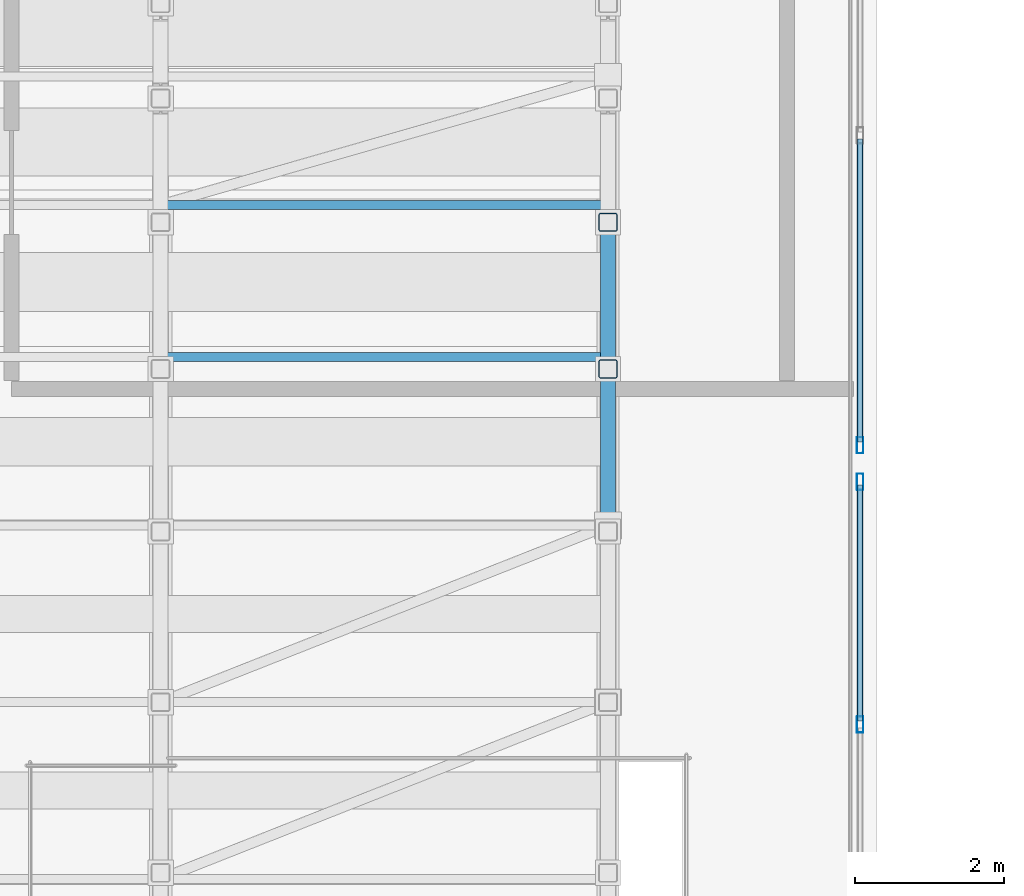
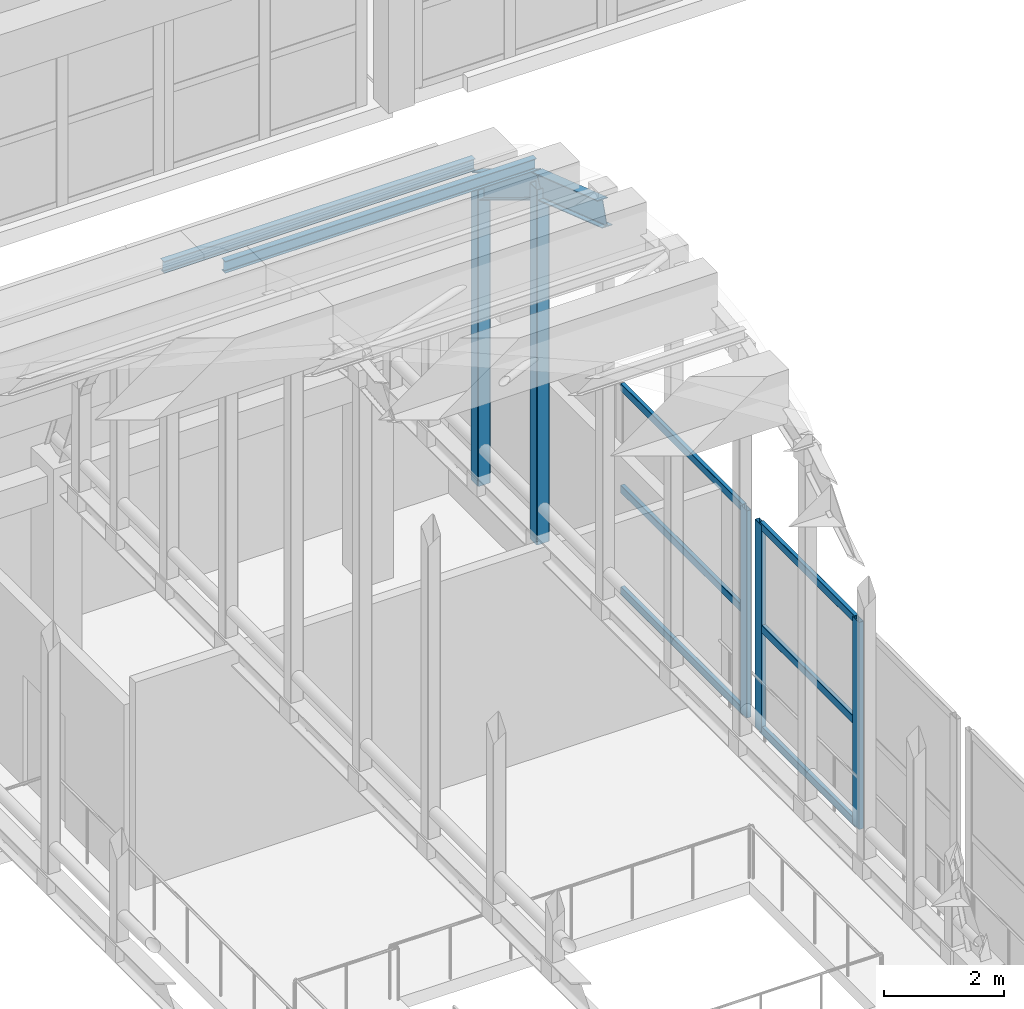
# One storey, part 15 of 91: 13 members, 2 beams, 2 elements without a shape of their own.
"""IFC4 building model written with IfcOpenShell, lengths in metres."""

from ifc_helpers import new_model, si_unit, direction, frame, origin, origin_2d, place, context, subcontext, project, spatial, hollow_rectangle, i_section, extrude, material, layer, layer_set, material_profile, profile_set, type_object, element, aggregate, save


model = new_model("IFC4")

# Units and contexts
model_context = context("Model", 3, precision=1e-05, world=origin(), true_north=direction((0.0, 1.0)))
body_context = subcontext(model_context, "Body", "Model", "MODEL_VIEW")
ifc_project = project(units=[si_unit("LENGTHUNIT", "METRE"), si_unit("AREAUNIT", "SQUARE_METRE"), si_unit("VOLUMEUNIT", "CUBIC_METRE"), si_unit("PLANEANGLEUNIT", "RADIAN"), si_unit("MASSUNIT", "GRAM", prefix="KILO")], contexts=[model_context])

# Site, building, storey
site_placement = place(None, origin())
site = spatial("IfcSite", under=ifc_project, at=site_placement, CompositionType="ELEMENT")
building_placement = place(site_placement, origin())
building = spatial("IfcBuilding", under=site, at=building_placement, Name="Tarnavel Promenade Courthouse", CompositionType="ELEMENT")
storey_placement = place(building_placement, frame((0.0, 0.0, 9.89990234375)))
storey = spatial("IfcBuildingStorey", under=building, at=storey_placement, Name="L03", CompositionType="ELEMENT", Elevation=9.89990234375)

# Beams
ifc_material_1 = material(Name="Steel S355J2", Category="steel")
ifc_material_profile_1 = material_profile(ifc_material_1, i_section(OverallWidth=0.199951171875, OverallDepth=0.5, WebThickness=0.01025390625, FlangeThickness=0.01611328125, FilletRadius=0.02099609375, at=origin_2d()), Name="IPE 500")
ifc_profile_set_1 = profile_set([ifc_material_profile_1], Name="Steel S355J2")
beam_type = type_object("IfcBeamType", Name="Steel S355J2 BM-AR-IPE500 (IPE 500)", PredefinedType="T_BEAM", material=ifc_profile_set_1)
for number, where, z_axis, x_axis, name in (
    (1, (51.60009765625, 27.288818359375, 12.098876953125), (0.0, 0.946692570393, -0.322138444092), (-1.0, 0.0, 0.0), "V4 Barrel Vault Arch Rib 08 Chord 08"),
    (2, (51.60009765625, 29.468505859375, 11.357177734375), (0.0, 0.854305009105, -0.519772018696), (-1.0, 0.0, 0.0), "V4 Barrel Vault Arch Rib 08 Chord 09"),
):
    element("IfcBeam", number, at=place(storey_placement, frame(where, z_axis=z_axis, x_axis=x_axis)), inside=storey, type_object=beam_type, Name=name, PredefinedType="T_BEAM", context=body_context, shape_type="SweptSolid", body=[
        extrude(i_section(OverallWidth=0.199951171875, OverallDepth=0.5, WebThickness=0.01025390625, FlangeThickness=0.01611328125, FilletRadius=0.02099609375, at=origin_2d()), origin(), (0.0, 0.0, 1.0), 2.302490234375),
    ])

# Members
ifc_material_profile_2 = material_profile(ifc_material_1, i_section(OverallWidth=0.1201171875, OverallDepth=0.239990234375, WebThickness=0.006103515625, FlangeThickness=0.009765625, FilletRadius=0.014892578125, at=origin_2d()), Name="IPE 240")
ifc_profile_set_2 = profile_set([ifc_material_profile_2], Name="Steel S355J2")
member_type_1 = type_object("IfcMemberType", Name="Steel S355J2 MEM-PUR-IPE240 (IPE 240)", PredefinedType="PURLIN", material=ifc_profile_set_2)
for number, where, z_axis, x_axis, name in (
    (3, (45.60009765625, 29.62939453125, 11.701416015625), (1.0, 0.0, 0.0), (0.0, 1.0, 0.0), "V4 Barrel Vault Purlin 07-08"),
    (4, (45.60009765625, 31.667236328125, 10.46142578125), (1.0, 0.0, 0.0), (0.0, 1.0, 0.0), "V4 Barrel Vault Purlin 07-09"),
):
    element("IfcMember", number, at=place(storey_placement, frame(where, z_axis=z_axis, x_axis=x_axis)), inside=storey, type_object=member_type_1, Name=name, PredefinedType="PURLIN", context=body_context, shape_type="SweptSolid", body=[
        extrude(i_section(OverallWidth=0.1201171875, OverallDepth=0.239990234375, WebThickness=0.006103515625, FlangeThickness=0.009765625, FilletRadius=0.014892578125, at=origin_2d()), origin(), (0.0, 0.0, 1.0), 6.0),
    ])
ifc_material_profile_3 = material_profile(ifc_material_1, hollow_rectangle(XDim=0.25, YDim=0.25, WallThickness=0.012451171875, InnerFilletRadius=0.012451171875, OuterFilletRadius=0.02490234375, at=origin_2d()), Name="SHS 250x250x12.5")
ifc_profile_set_3 = profile_set([ifc_material_profile_3], Name="Steel S355J2")
member_type_2 = type_object("IfcMemberType", Name="Steel S355J2 MEM-STR-SHS250 (SHS 250x250x12.5)", PredefinedType="STRUT", material=ifc_profile_set_3)
member_1_placement = place(storey_placement, frame((51.60009765625, 29.468505859375, 4.1201171875), z_axis=(0.0, 0.0, 1.0), x_axis=(1.0, 0.0, 0.0)))
element("IfcMember", 5, at=member_1_placement, inside=storey, type_object=member_type_2, Name="V4 Vault Arch Web Strut 08-08", PredefinedType="STRUT", context=body_context, shape_type="SweptSolid", body=[
    extrude(hollow_rectangle(XDim=0.25, YDim=0.25, WallThickness=0.012451171875, InnerFilletRadius=0.012451171875, OuterFilletRadius=0.02490234375, at=origin_2d()), origin(), (0.0, 0.0, 1.0), 7.237060546875),
])
member_2_placement = place(storey_placement, frame((51.60009765625, 31.435546875, 4.1201171875), z_axis=(0.0, 0.0, 1.0), x_axis=(1.0, 0.0, 0.0)))
element("IfcMember", 6, at=member_2_placement, inside=storey, type_object=member_type_2, Name="V4 Vault Arch Web Strut 08-09", PredefinedType="STRUT", context=body_context, shape_type="SweptSolid", body=[
    extrude(hollow_rectangle(XDim=0.25, YDim=0.25, WallThickness=0.012451171875, InnerFilletRadius=0.012451171875, OuterFilletRadius=0.02490234375, at=origin_2d()), origin(), (0.0, 0.0, 1.0), 6.040283203125),
])

# Curtain wall, members
ifc_material_2 = material(Name="Thermally Broken Anodised Aluminium Curtain Wall System", Category="aluminium")
ifc_layer = layer(ifc_material_2, 0.219970703125)
ifc_layer_set = layer_set([ifc_layer], Name="Thermally Broken Anodised Aluminium Curtain Wall System")
curtain_wall_type = type_object("IfcCurtainWallType", Name="Thermally Broken Aluminium Triple-Glazed Curtain Wall CW-DRUM", PredefinedType="NOTDEFINED", material=ifc_layer_set)
curtain_wall_1_placement = place(storey_placement, origin())
curtain_wall_1 = element("IfcCurtainWall", 7, at=curtain_wall_1_placement, inside=storey, type_object=curtain_wall_type, Name="L03 Public Drum East Return Curtain Wall 040", PredefinedType="NOTDEFINED")
ifc_material_3 = material(Name="Thermally Broken Anodised Aluminium Frame", Category="aluminium")
ifc_material_profile_4 = material_profile(ifc_material_3, hollow_rectangle(XDim=0.090087890625, YDim=0.219970703125, WallThickness=0.0048828125, InnerFilletRadius=0.0048828125, OuterFilletRadius=0.010009765625, at=origin_2d()), Name="CWM 220x90x5")
ifc_profile_set_4 = profile_set([ifc_material_profile_4], Name="Thermally Broken Anodised Aluminium Frame")
member_type_3 = type_object("IfcMemberType", Name="Thermally Broken Anodised Aluminium CWM-175 (CWM 220x90x5)", PredefinedType="MULLION", material=ifc_profile_set_4)
member_3_placement = place(storey_placement, frame((54.97998046875, 24.699951171875, 0.0), z_axis=(0.0, 0.0, 1.0), x_axis=(-1.0, 0.0, 0.0)))
member_3 = element("IfcMember", 8, at=member_3_placement, type_object=member_type_3, Name="CW-01 mullion 2", PredefinedType="MULLION", context=body_context, shape_type="SweptSolid", body=[
    extrude(hollow_rectangle(XDim=0.090087890625, YDim=0.219970703125, WallThickness=0.0048828125, InnerFilletRadius=0.0048828125, OuterFilletRadius=0.010009765625, at=origin_2d()), origin(), (0.0, 0.0, 1.0), 4.22021484375),
])
member_4_placement = place(storey_placement, frame((54.97998046875, 27.955078125, 0.0), z_axis=(0.0, 0.0, 1.0), x_axis=(-1.0, 0.0, 0.0)))
member_4 = element("IfcMember", 9, at=member_4_placement, type_object=member_type_3, Name="CW-01 mullion 3", PredefinedType="MULLION", context=body_context, shape_type="SweptSolid", body=[
    extrude(hollow_rectangle(XDim=0.090087890625, YDim=0.219970703125, WallThickness=0.0048828125, InnerFilletRadius=0.0048828125, OuterFilletRadius=0.010009765625, at=origin_2d()), origin(), (0.0, 0.0, 1.0), 4.22021484375),
])

# Curtain wall, member
curtain_wall_2_placement = place(storey_placement, origin())
curtain_wall_2 = element("IfcCurtainWall", 10, at=curtain_wall_2_placement, inside=storey, type_object=curtain_wall_type, Name="L03 Public Drum East Return Curtain Wall 041", PredefinedType="NOTDEFINED")
member_5_placement = place(storey_placement, frame((54.97998046875, 28.445068359375, 0.0), z_axis=(0.0, 0.0, 1.0), x_axis=(-1.0, 0.0, 0.0)))
member_5 = element("IfcMember", 11, at=member_5_placement, type_object=member_type_3, Name="CW-01 mullion 1", PredefinedType="MULLION", context=body_context, shape_type="SweptSolid", body=[
    extrude(hollow_rectangle(XDim=0.090087890625, YDim=0.219970703125, WallThickness=0.0048828125, InnerFilletRadius=0.0048828125, OuterFilletRadius=0.010009765625, at=origin_2d()), origin(), (0.0, 0.0, 1.0), 4.22021484375),
])

# Member
ifc_material_profile_5 = material_profile(ifc_material_3, hollow_rectangle(XDim=0.080078125, YDim=0.159912109375, WallThickness=0.0048828125, InnerFilletRadius=0.0048828125, OuterFilletRadius=0.010009765625, at=origin_2d()), Name="CWT 160x80x5")
ifc_profile_set_5 = profile_set([ifc_material_profile_5], Name="Thermally Broken Anodised Aluminium Frame")
member_type_4 = type_object("IfcMemberType", Name="Thermally Broken Anodised Aluminium CWT-145 (CWT 160x80x5)", PredefinedType="USERDEFINED", material=ifc_profile_set_5)
member_6_placement = place(storey_placement, frame((54.97998046875, 24.7451171875, 0.0400390625), z_axis=(0.0, 1.0, 0.0), x_axis=(-1.0, 0.0, 0.0)))
member_6 = element("IfcMember", 12, at=member_6_placement, type_object=member_type_4, Name="CW-01 transom 2.1", ObjectType="TRANSOM", PredefinedType="USERDEFINED", context=body_context, shape_type="SweptSolid", body=[
    extrude(hollow_rectangle(XDim=0.080078125, YDim=0.159912109375, WallThickness=0.0048828125, InnerFilletRadius=0.0048828125, OuterFilletRadius=0.010009765625, at=origin_2d()), origin(), (0.0, 0.0, 1.0), 3.164794921875),
])

member_7_placement = place(storey_placement, frame((54.97998046875, 24.7451171875, 2.110107421875), z_axis=(0.0, 1.0, 0.0), x_axis=(-1.0, 0.0, 0.0)))
member_7 = element("IfcMember", 13, at=member_7_placement, type_object=member_type_4, Name="CW-01 transom 2.2", ObjectType="TRANSOM", PredefinedType="USERDEFINED", context=body_context, shape_type="SweptSolid", body=[
    extrude(hollow_rectangle(XDim=0.080078125, YDim=0.159912109375, WallThickness=0.0048828125, InnerFilletRadius=0.0048828125, OuterFilletRadius=0.010009765625, at=origin_2d()), origin(), (0.0, 0.0, 1.0), 3.164794921875),
])

member_8_placement = place(storey_placement, frame((54.97998046875, 24.7451171875, 4.18017578125), z_axis=(0.0, 1.0, 0.0), x_axis=(-1.0, 0.0, 0.0)))
member_8 = element("IfcMember", 14, at=member_8_placement, type_object=member_type_4, Name="CW-01 transom 2.3", ObjectType="TRANSOM", PredefinedType="USERDEFINED", context=body_context, shape_type="SweptSolid", body=[
    extrude(hollow_rectangle(XDim=0.080078125, YDim=0.159912109375, WallThickness=0.0048828125, InnerFilletRadius=0.0048828125, OuterFilletRadius=0.010009765625, at=origin_2d()), origin(), (0.0, 0.0, 1.0), 3.164794921875),
])

aggregate(curtain_wall_1, [member_3, member_4, member_6, member_7, member_8])

member_9_placement = place(storey_placement, frame((54.97998046875, 28.489990234375, 0.0400390625), z_axis=(0.0, 1.0, 0.0), x_axis=(-1.0, 0.0, 0.0)))
member_9 = element("IfcMember", 15, at=member_9_placement, type_object=member_type_4, Name="CW-01 transom 1.1", ObjectType="TRANSOM", PredefinedType="USERDEFINED", context=body_context, shape_type="SweptSolid", body=[
    extrude(hollow_rectangle(XDim=0.080078125, YDim=0.159912109375, WallThickness=0.0048828125, InnerFilletRadius=0.0048828125, OuterFilletRadius=0.010009765625, at=origin_2d()), origin(), (0.0, 0.0, 1.0), 4.06494140625),
])

member_10_placement = place(storey_placement, frame((54.97998046875, 28.489990234375, 2.110107421875), z_axis=(0.0, 1.0, 0.0), x_axis=(-1.0, 0.0, 0.0)))
member_10 = element("IfcMember", 16, at=member_10_placement, type_object=member_type_4, Name="CW-01 transom 1.2", ObjectType="TRANSOM", PredefinedType="USERDEFINED", context=body_context, shape_type="SweptSolid", body=[
    extrude(hollow_rectangle(XDim=0.080078125, YDim=0.159912109375, WallThickness=0.0048828125, InnerFilletRadius=0.0048828125, OuterFilletRadius=0.010009765625, at=origin_2d()), origin(), (0.0, 0.0, 1.0), 4.06494140625),
])

member_11_placement = place(storey_placement, frame((54.97998046875, 28.489990234375, 4.18017578125), z_axis=(0.0, 1.0, 0.0), x_axis=(-1.0, 0.0, 0.0)))
member_11 = element("IfcMember", 17, at=member_11_placement, type_object=member_type_4, Name="CW-01 transom 1.3", ObjectType="TRANSOM", PredefinedType="USERDEFINED", context=body_context, shape_type="SweptSolid", body=[
    extrude(hollow_rectangle(XDim=0.080078125, YDim=0.159912109375, WallThickness=0.0048828125, InnerFilletRadius=0.0048828125, OuterFilletRadius=0.010009765625, at=origin_2d()), origin(), (0.0, 0.0, 1.0), 4.06494140625),
])

aggregate(curtain_wall_2, [member_5, member_9, member_10, member_11])

save(model, "model.ifc")
